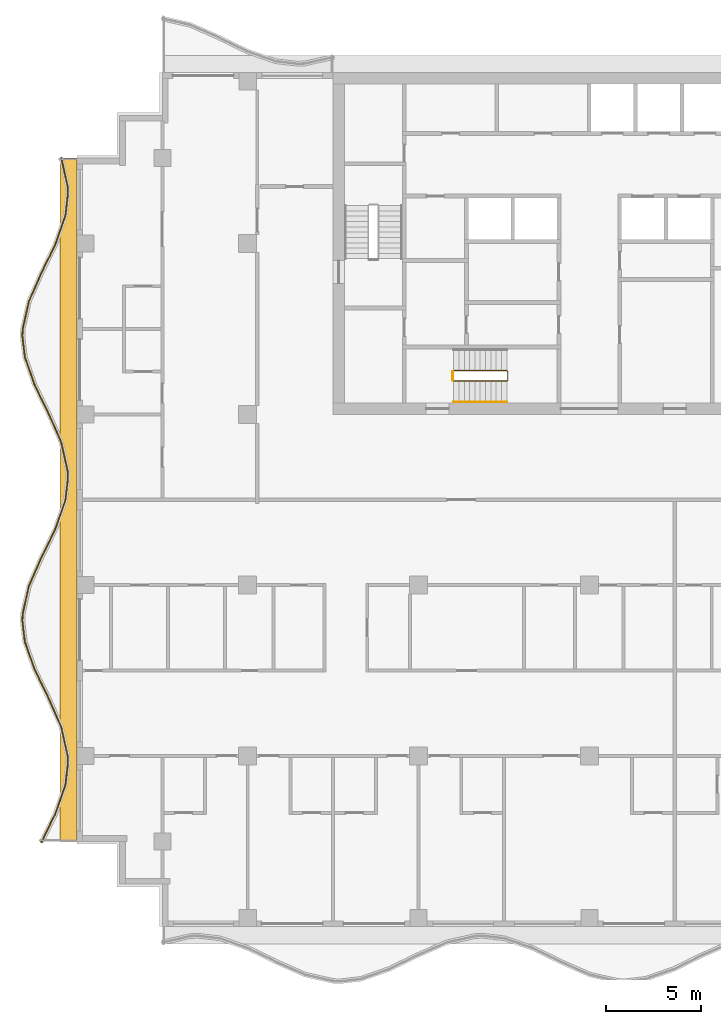
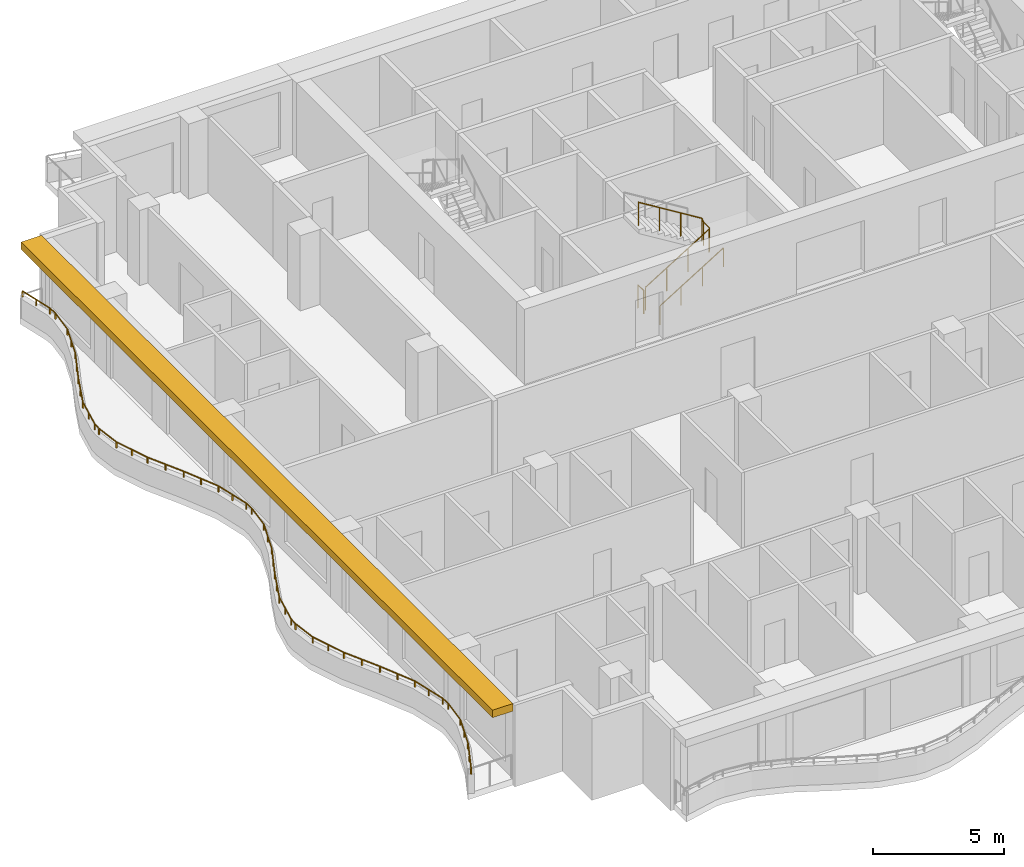
# One storey, part 9 of 11: 4 railings, 1 shading device.
"""IFC4 building model written with IfcOpenShell, lengths in metres."""

import ifcopenshell
import ifcopenshell.guid

model = None  # the IFC model being written
_history = None  # IfcOwnerHistory: only IFC2X3 demands one
_inside = {}  # id of a spatial element -> (the spatial element, [elements in it])
_under = {}  # id of a project, library or spatial element -> (it, [spatial elements below it])
_declared = {}  # id of a project -> (the project, [libraries it declares])
_typed = {}  # id of a type object -> (the type object, [elements of that type])
_made_of = {}  # id of a material, layer set ... -> (it, [elements and type objects made of it])


def new_model(schema):
    """Start an empty IFC model of exactly this schema.

    Asked for "IFC4X3", IfcOpenShell would pick the latest addendum, in which some entities
    have other attributes; the version numbers below select the first issue.
    IFC2X3 requires an IfcOwnerHistory on every rooted entity: one is made here for all.
    """
    global model, _history
    if schema == "IFC4X3":
        model = ifcopenshell.file(schema_version=(4, 3, 0, 0))
    else:
        model = ifcopenshell.file(schema=schema)
    _inside.clear()
    _under.clear()
    _declared.clear()
    _typed.clear()
    _made_of.clear()
    _history = None
    if model.schema == "IFC2X3":
        org = make("IfcOrganization", Name="unknown")
        user = make(
            "IfcPersonAndOrganization",
            ThePerson=make("IfcPerson", FamilyName="unknown"),
            TheOrganization=org,
        )
        app = make(
            "IfcApplication",
            ApplicationDeveloper=org,
            Version="unknown",
            ApplicationFullName="unknown",
            ApplicationIdentifier="unknown",
        )
        _history = make(
            "IfcOwnerHistory",
            OwningUser=user,
            OwningApplication=app,
            ChangeAction="ADDED",
            CreationDate=0,
        )
    return model


def make(cls, **values):
    """One entity of the class cls with the attributes given. An attribute that is None is left unset."""
    return model.create_entity(
        cls, **{name: value for name, value in values.items() if value is not None}
    )


def rooted(cls, **values):
    """An entity with a GlobalId (a new one), such as an element, a storey or a relation."""
    return make(cls, GlobalId=ifcopenshell.guid.new(), OwnerHistory=_history, **values)


def si_unit(unit_type, name, prefix=None):
    """IfcSIUnit, for example si_unit("LENGTHUNIT", "METRE", prefix="MILLI")."""
    return make("IfcSIUnit", UnitType=unit_type, Prefix=prefix, Name=name)


def assignment(units):
    """IfcUnitAssignment: the units of a project."""
    return None if units is None else make("IfcUnitAssignment", Units=units)


def point(xyz):
    """IfcCartesianPoint."""
    return None if xyz is None else make("IfcCartesianPoint", Coordinates=xyz)


def direction(xyz):
    """IfcDirection."""
    return None if xyz is None else make("IfcDirection", DirectionRatios=xyz)


def frame(location, z_axis=None, x_axis=None):
    """IfcAxis2Placement3D, a coordinate frame: its origin and axes. An axis left out is left unset."""
    return make(
        "IfcAxis2Placement3D",
        Location=point(location),
        Axis=direction(z_axis),
        RefDirection=direction(x_axis),
    )


def frame_2d(location, x_axis=None):
    """IfcAxis2Placement2D, a coordinate frame in the plane: its origin and x axis."""
    return make(
        "IfcAxis2Placement2D", Location=point(location), RefDirection=direction(x_axis)
    )


def origin():
    """The frame at (0, 0, 0) with its axes left unset."""
    return frame((0.0, 0.0, 0.0))


def origin_2d():
    """The frame at (0, 0) in the plane with its x axis left unset."""
    return frame_2d((0.0, 0.0))


def place(relative_to, where):
    """IfcLocalPlacement: puts the frame where relative to a parent placement (None: the world)."""
    return make(
        "IfcLocalPlacement", PlacementRelTo=relative_to, RelativePlacement=where
    )


def context(
    kind, dimensions, precision=None, world=None, true_north=None, identifier=None
):
    """IfcGeometricRepresentationContext, for example the 3D "Model" context."""
    return make(
        "IfcGeometricRepresentationContext",
        ContextIdentifier=identifier,
        ContextType=kind,
        CoordinateSpaceDimension=dimensions,
        Precision=precision,
        WorldCoordinateSystem=world,
        TrueNorth=true_north,
    )


def subcontext(parent, identifier, kind, view, scale=None):
    """IfcGeometricRepresentationSubContext, for example "Body" below "Model"."""
    return make(
        "IfcGeometricRepresentationSubContext",
        ContextIdentifier=identifier,
        ContextType=kind,
        ParentContext=parent,
        TargetScale=scale,
        TargetView=view,
    )


def project(units=None, contexts=None):
    """IfcProject with its units and contexts."""
    return rooted(
        "IfcProject",
        Name="project",
        RepresentationContexts=contexts,
        UnitsInContext=assignment(units),
    )


def spatial(cls, under=None, at=None, **own):
    """A site, building, storey or space (cls), placed at a placement, below another one or the project."""
    s = rooted(cls, ObjectPlacement=at, **own)
    if under is not None:
        _under.setdefault(under.id(), (under, []))[1].append(s)
    return s


def polyline(points):
    """IfcPolyline through the points."""
    return make("IfcPolyline", Points=[point(p) for p in points])


def profile(cls, at=None, kind="AREA", **sizes):
    """A parametric profile (cls). Its sizes go by their IFC names, for example OverallWidth=200.0."""
    return make(cls, ProfileType=kind, Position=at, **sizes)


def rectangle(**sizes):
    """IfcRectangleProfileDef."""
    return profile("IfcRectangleProfileDef", **sizes)


def circle(**sizes):
    """IfcCircleProfileDef."""
    return profile("IfcCircleProfileDef", **sizes)


def outline(outer, holes=None, kind="AREA"):
    """IfcArbitraryClosedProfileDef: a profile drawn as a closed curve; with holes, ...WithVoids."""
    if holes is None:
        return make("IfcArbitraryClosedProfileDef", ProfileType=kind, OuterCurve=outer)
    return make(
        "IfcArbitraryProfileDefWithVoids",
        ProfileType=kind,
        OuterCurve=outer,
        InnerCurves=holes,
    )


def extrude(swept, where, along, depth):
    """IfcExtrudedAreaSolid: the profile swept, set in the frame where, extruded along a direction by depth."""
    return make(
        "IfcExtrudedAreaSolid",
        SweptArea=swept,
        Position=where,
        ExtrudedDirection=direction(along),
        Depth=depth,
    )


def shape(context_of_items, identifier, shape_type, items):
    """IfcShapeRepresentation: the items that make up one representation, for example the "Body"."""
    return make(
        "IfcShapeRepresentation",
        ContextOfItems=context_of_items,
        RepresentationIdentifier=identifier,
        RepresentationType=shape_type,
        Items=items,
    )


def material(Name=None, Category=None):
    """IfcMaterial."""
    return make("IfcMaterial", Name=Name, Category=Category)


def layer(
    of_material, thickness, ventilated=None, Name=None, Category=None, Priority=None
):
    """IfcMaterialLayer: one layer of a wall or slab, of a material (None: an air gap)."""
    return make(
        "IfcMaterialLayer",
        Material=of_material,
        LayerThickness=thickness,
        IsVentilated=ventilated,
        Name=Name,
        Category=Category,
        Priority=Priority,
    )


def layer_set(layers, Name=None):
    """IfcMaterialLayerSet."""
    return make("IfcMaterialLayerSet", MaterialLayers=layers, LayerSetName=Name)


def made_of(thing, what):
    """Note that an element or type object is made of a material, layer set ...; save() writes the relation."""
    if what is not None:
        _made_of.setdefault(what.id(), (what, []))[1].append(thing)
    return thing


def type_object(cls, material=None, **own):
    """A type object (cls), such as IfcWallType, which elements share."""
    return made_of(rooted(cls, **own), material)


def element(
    cls,
    number,
    at=None,
    inside=None,
    cuts=None,
    type_object=None,
    material=None,
    context=None,
    identifier="Body",
    shape_type=None,
    held_by="IfcProductDefinitionShape",
    body=None,
    shapes=None,
    **own,
):
    """One element of the class cls, such as IfcWall. Its Tag is "e" and its number.

    at: its placement. inside: the storey or other place that contains it. cuts: it is an
    opening in that element (IfcRelVoidsElement). A single representation is given by context,
    identifier, shape_type and body (its items); several are given by shapes. held_by: the class
    of the entity that holds the representations. save() writes the other relations.
    """
    e = rooted(cls, Tag="e%d" % number, ObjectPlacement=at, **own)
    if body is not None:
        shapes = [shape(context, identifier, shape_type, body)]
    if shapes is not None:
        e.Representation = make(held_by, Representations=shapes)
    if inside is not None:
        _inside.setdefault(inside.id(), (inside, []))[1].append(e)
    if cuts is not None:
        rooted(
            "IfcRelVoidsElement", RelatingBuildingElement=cuts, RelatedOpeningElement=e
        )
    if type_object is not None:
        _typed.setdefault(type_object.id(), (type_object, []))[1].append(e)
    return made_of(e, material)


def aggregate(whole, parts):
    """IfcRelAggregates: a whole, such as a stair, and the parts it consists of."""
    return rooted("IfcRelAggregates", RelatingObject=whole, RelatedObjects=parts)


def save(model, path):
    """Write the relations noted so far, then the file.

    IfcRelAggregates (storeys below a building ...), IfcRelContainedInSpatialStructure (elements
    in a storey), IfcRelDefinesByType, IfcRelAssociatesMaterial and IfcRelDeclares: one each for
    every whole, place, type object, material and project.
    """
    for whole, parts in _under.values():
        aggregate(whole, parts)
    for where, things in _inside.values():
        rooted(
            "IfcRelContainedInSpatialStructure",
            RelatedElements=things,
            RelatingStructure=where,
        )
    for kind, things in _typed.values():
        rooted("IfcRelDefinesByType", RelatedObjects=things, RelatingType=kind)
    for what, things in _made_of.values():
        rooted("IfcRelAssociatesMaterial", RelatedObjects=things, RelatingMaterial=what)
    for by, libraries in _declared.values():
        rooted("IfcRelDeclares", RelatingContext=by, RelatedDefinitions=libraries)
    model.write(path)


model = new_model("IFC4")

# Units and contexts
model_context = context("Model", 3, precision=1e-05, world=origin(), true_north=direction((0.0, 1.0)))
body_context = subcontext(model_context, "Body", "Model", "MODEL_VIEW")
ifc_project = project(units=[si_unit("LENGTHUNIT", "METRE"), si_unit("AREAUNIT", "SQUARE_METRE"), si_unit("VOLUMEUNIT", "CUBIC_METRE"), si_unit("PLANEANGLEUNIT", "RADIAN"), si_unit("MASSUNIT", "GRAM", prefix="KILO")], contexts=[model_context])

# Site, building, storey
site_placement = place(None, origin())
site = spatial("IfcSite", under=ifc_project, at=site_placement, CompositionType="ELEMENT")
building_placement = place(site_placement, origin())
building = spatial("IfcBuilding", under=site, at=building_placement, Name="Orbiselva Terraces", CompositionType="ELEMENT")
storey_placement = place(building_placement, frame((0.0, 0.0, 261.6)))
storey = spatial("IfcBuildingStorey", under=building, at=storey_placement, Name="L66", CompositionType="ELEMENT", Elevation=261.6)

# Railings
ifc_material_1 = material(Name="Stainless steel", Category="steel")
railing_type_1 = type_object("IfcRailingType", Name="CORE-GUARD-1100", PredefinedType="GUARDRAIL", material=ifc_material_1)
railing_1_placement = place(storey_placement, frame((-7.15, 6.25, 0.172727)))
element("IfcRailing", 1, at=railing_1_placement, inside=storey, type_object=railing_type_1, Name="L66 S3 stair guard 1", PredefinedType="GUARDRAIL", context=body_context, shape_type="SweptSolid", body=[
    extrude(circle(Radius=0.024, at=origin_2d()), frame((0.0, 0.0, 1.081), z_axis=(0.851088519012, 0.0, 0.52502222125), x_axis=(0.0, 1.0, 0.0)), (0.0, 0.0, 1.0), 3.289905),
    extrude(circle(Radius=0.024, at=origin_2d()), frame((2.8, 0.0, 2.808273), z_axis=(0.707106781187, 0.707106781187, 0.0), x_axis=(-0.707106781187, 0.707106781187, 0.0)), (0.0, 0.0, 1.0), 0.070711),
    extrude(circle(Radius=0.024, at=origin_2d()), frame((2.85, 0.05, 2.808273), z_axis=(0.0, 1.0, 0.0), x_axis=(-1.0, 0.0, 0.0)), (0.0, 0.0, 1.0), 0.45),
    extrude(circle(Radius=0.024, at=origin_2d()), frame((2.85, 0.5, 2.808273), z_axis=(-0.267894925557, 0.267894925557, 0.925453736133), x_axis=(-0.707106781187, -0.707106781187, 0.0)), (0.0, 0.0, 1.0), 0.18664),
    extrude(circle(Radius=0.024, at=origin_2d()), frame((2.8, 0.55, 2.981), z_axis=(-0.851088519012, 0.0, 0.52502222125), x_axis=(0.0, -1.0, 0.0)), (0.0, 0.0, 1.0), 3.289905),
    extrude(circle(Radius=0.021, at=origin_2d()), origin(), (0.0, 0.0, 1.0), 1.057),
    extrude(circle(Radius=0.021, at=origin_2d()), frame((0.933333, 0.0, 0.575758)), (0.0, 0.0, 1.0), 1.057),
    extrude(circle(Radius=0.021, at=origin_2d()), frame((1.866667, 0.0, 1.151515)), (0.0, 0.0, 1.0), 1.057),
    extrude(circle(Radius=0.021, at=origin_2d()), frame((2.8, 0.0, 1.727273)), (0.0, 0.0, 1.0), 1.057),
    extrude(circle(Radius=0.021, at=origin_2d()), frame((2.85, 0.05, 1.727273)), (0.0, 0.0, 1.0), 1.057),
    extrude(circle(Radius=0.021, at=origin_2d()), frame((2.85, 0.5, 1.727273)), (0.0, 0.0, 1.0), 1.057),
    extrude(circle(Radius=0.021, at=origin_2d()), frame((2.8, 0.55, 1.9)), (0.0, 0.0, 1.0), 1.057),
    extrude(circle(Radius=0.021, at=origin_2d()), frame((1.866667, 0.55, 2.475758)), (0.0, 0.0, 1.0), 1.057),
    extrude(circle(Radius=0.021, at=origin_2d()), frame((0.933333, 0.55, 3.051515)), (0.0, 0.0, 1.0), 1.057),
    extrude(circle(Radius=0.021, at=origin_2d()), frame((0.0, 0.55, 3.627273)), (0.0, 0.0, 1.0), 1.057),
])
railing_2_placement = place(storey_placement, frame((-7.2, 6.3, 0.0)))
element("IfcRailing", 2, at=railing_2_placement, inside=storey, type_object=railing_type_1, Name="L66 S3 stair guard 2", PredefinedType="GUARDRAIL", context=body_context, shape_type="SweptSolid", body=[
    extrude(circle(Radius=0.024, at=origin_2d()), frame((0.0, 0.0, 1.081), z_axis=(0.0, 1.0, 0.0), x_axis=(-1.0, 0.0, 0.0)), (0.0, 0.0, 1.0), 0.45),
    extrude(circle(Radius=0.021, at=origin_2d()), origin(), (0.0, 0.0, 1.0), 1.057),
    extrude(circle(Radius=0.021, at=origin_2d()), frame((0.0, 0.45, 0.0)), (0.0, 0.0, 1.0), 1.057),
])
railing_type_2 = type_object("IfcRailingType", Name="CORE-HANDRAIL-900", PredefinedType="HANDRAIL", material=ifc_material_1)
railing_3_placement = place(storey_placement, frame((-7.15, 5.15, 0.172727)))
element("IfcRailing", 3, at=railing_3_placement, inside=storey, type_object=railing_type_2, Name="L66 S3 stair handrail 1", PredefinedType="HANDRAIL", context=body_context, shape_type="SweptSolid", body=[
    extrude(circle(Radius=0.024, at=origin_2d()), frame((0.0, 0.0, 0.876), z_axis=(0.851088519012, 0.0, 0.52502222125), x_axis=(0.0, 1.0, 0.0)), (0.0, 0.0, 1.0), 3.289905),
    extrude(circle(Radius=0.021, at=origin_2d()), origin(), (0.0, 0.0, 1.0), 0.852),
    extrude(circle(Radius=0.021, at=origin_2d()), frame((0.933333, 0.0, 0.575758)), (0.0, 0.0, 1.0), 0.852),
    extrude(circle(Radius=0.021, at=origin_2d()), frame((1.866667, 0.0, 1.151515)), (0.0, 0.0, 1.0), 0.852),
    extrude(circle(Radius=0.021, at=origin_2d()), frame((2.8, 0.0, 1.727273)), (0.0, 0.0, 1.0), 0.852),
])
ifc_material_2 = material(Name="Bonded two-ply safety glass balustrade, stainless steel posts", Category="steel")
railing_type_3 = type_object("IfcRailingType", Name="ENV-BALUSTRADE-1200", PredefinedType="BALUSTRADE", material=ifc_material_2)
railing_4_placement = place(storey_placement, frame((-27.829507, 18.027377, 0.9)))
element("IfcRailing", 4, at=railing_4_placement, inside=storey, type_object=railing_type_3, Name="Balcony balustrade L66 W", PredefinedType="BALUSTRADE", context=body_context, shape_type="SweptSolid", body=[
    extrude(outline(polyline([(0.028868, 0.0), (0.014434, 0.025), (-0.014434, 0.025), (-0.028868, 0.0), (-0.014434, -0.025), (0.014434, -0.025), (0.028868, 0.0)])), frame((0.0, 0.0, 0.275), z_axis=(0.219015484484, -0.97572138316, 0.0), x_axis=(0.97572138316, 0.219015484484, 0.0)), (0.0, 0.0, 1.0), 1.548694),
    extrude(outline(polyline([(0.028868, 0.0), (0.014434, 0.025), (-0.014434, 0.025), (-0.028868, 0.0), (-0.014434, -0.025), (0.014434, -0.025), (0.028868, 0.0)])), frame((0.339188, -1.511094, 0.275), z_axis=(0.03936915532, -0.999224734286, 0.0), x_axis=(0.999224734286, 0.03936915532, 0.0)), (0.0, 0.0, 1.0), 0.396376),
    extrude(outline(polyline([(0.028868, 0.0), (0.014434, 0.025), (-0.014434, 0.025), (-0.028868, 0.0), (-0.014434, -0.025), (0.014434, -0.025), (0.028868, 0.0)])), frame((0.354793, -1.907163, 0.275), z_axis=(-0.115482182324, -0.993309551734, 0.0), x_axis=(0.993309551734, -0.115482182324, 0.0)), (0.0, 0.0, 1.0), 1.156135),
    extrude(outline(polyline([(0.028868, 0.0), (0.014434, 0.025), (-0.014434, 0.025), (-0.028868, 0.0), (-0.014434, -0.025), (0.014434, -0.025), (0.028868, 0.0)])), frame((0.22128, -3.055563, 0.275), z_axis=(-0.330024597479, -0.943972332783, 0.0), x_axis=(0.943972332783, -0.330024597479, 0.0)), (0.0, 0.0, 1.0), 1.610253),
    extrude(outline(polyline([(0.028868, 0.0), (0.014434, 0.025), (-0.014434, 0.025), (-0.028868, 0.0), (-0.014434, -0.025), (0.014434, -0.025), (0.028868, 0.0)])), frame((-0.310143, -4.575597, 0.275), z_axis=(-0.438812048596, -0.898578870221, 0.0), x_axis=(0.898578870221, -0.438812048596, 0.0)), (0.0, 0.0, 1.0), 1.674225),
    extrude(outline(polyline([(0.028868, 0.0), (0.014434, 0.025), (-0.014434, 0.025), (-0.028868, 0.0), (-0.014434, -0.025), (0.014434, -0.025), (0.028868, 0.0)])), frame((-1.044813, -6.08002, 0.275), z_axis=(-0.403151245402, -0.915133363686, 0.0), x_axis=(0.915133363686, -0.403151245402, 0.0)), (0.0, 0.0, 1.0), 1.624475),
    extrude(outline(polyline([(0.028868, 0.0), (0.014434, 0.025), (-0.014434, 0.025), (-0.028868, 0.0), (-0.014434, -0.025), (0.014434, -0.025), (0.028868, 0.0)])), frame((-1.699722, -7.566631, 0.275), z_axis=(-0.219015740235, -0.975721325753, 0.0), x_axis=(0.975721325753, -0.219015740235, 0.0)), (0.0, 0.0, 1.0), 1.513782),
    extrude(outline(polyline([(0.028868, 0.0), (0.014434, 0.025), (-0.014434, 0.025), (-0.028868, 0.0), (-0.014434, -0.025), (0.014434, -0.025), (0.028868, 0.0)])), frame((-2.031264, -9.04366, 0.275), z_axis=(-0.039364150694, -0.999224931454, 0.0), x_axis=(0.999224931454, -0.039364150694, 0.0)), (0.0, 0.0, 1.0), 0.354206),
    extrude(outline(polyline([(0.028868, 0.0), (0.014434, 0.025), (-0.014434, 0.025), (-0.028868, 0.0), (-0.014434, -0.025), (0.014434, -0.025), (0.028868, 0.0)])), frame((-2.045207, -9.397591, 0.275), z_axis=(0.115481264762, -0.993309658409, 0.0), x_axis=(0.993309658409, 0.115481264762, 0.0)), (0.0, 0.0, 1.0), 1.10902),
    extrude(outline(polyline([(0.028868, 0.0), (0.014434, 0.025), (-0.014434, 0.025), (-0.028868, 0.0), (-0.014434, -0.025), (0.014434, -0.025), (0.028868, 0.0)])), frame((-1.917136, -10.499191, 0.275), z_axis=(0.330024754707, -0.943972277814, 0.0), x_axis=(0.943972277814, 0.330024754707, 0.0)), (0.0, 0.0, 1.0), 1.567807),
    extrude(outline(polyline([(0.028868, 0.0), (0.014434, 0.025), (-0.014434, 0.025), (-0.028868, 0.0), (-0.014434, -0.025), (0.014434, -0.025), (0.028868, 0.0)])), frame((-1.399721, -11.979157, 0.275), z_axis=(0.438811978768, -0.89857890432, 0.0), x_axis=(0.89857890432, 0.438811978768, 0.0)), (0.0, 0.0, 1.0), 1.66438),
    extrude(outline(polyline([(0.028868, 0.0), (0.014434, 0.025), (-0.014434, 0.025), (-0.028868, 0.0), (-0.014434, -0.025), (0.014434, -0.025), (0.028868, 0.0)])), frame((-0.669371, -13.474734, 0.275), z_axis=(0.403150874148, -0.915133527237, 0.0), x_axis=(0.915133527237, 0.403150874148, 0.0)), (0.0, 0.0, 1.0), 1.653736),
    extrude(outline(polyline([(0.028868, 0.0), (0.014434, 0.025), (-0.014434, 0.025), (-0.028868, 0.0), (-0.014434, -0.025), (0.014434, -0.025), (0.028868, 0.0)])), frame((-0.002666, -14.988123, 0.275), z_axis=(0.219015500924, -0.97572137947, 0.0), x_axis=(0.97572137947, 0.219015500924, 0.0)), (0.0, 0.0, 1.0), 1.560867),
    extrude(outline(polyline([(0.028868, 0.0), (0.014434, 0.025), (-0.014434, 0.025), (-0.028868, 0.0), (-0.014434, -0.025), (0.014434, -0.025), (0.028868, 0.0)])), frame((0.339188, -16.511094, 0.275), z_axis=(0.03936915532, -0.999224734286, 0.0), x_axis=(0.999224734286, 0.03936915532, 0.0)), (0.0, 0.0, 1.0), 0.396376),
    extrude(outline(polyline([(0.028868, 0.0), (0.014434, 0.025), (-0.014434, 0.025), (-0.028868, 0.0), (-0.014434, -0.025), (0.014434, -0.025), (0.028868, 0.0)])), frame((0.354793, -16.907163, 0.275), z_axis=(-0.115482182324, -0.993309551734, 0.0), x_axis=(0.993309551734, -0.115482182324, 0.0)), (0.0, 0.0, 1.0), 1.156135),
    extrude(outline(polyline([(0.028868, 0.0), (0.014434, 0.025), (-0.014434, 0.025), (-0.028868, 0.0), (-0.014434, -0.025), (0.014434, -0.025), (0.028868, 0.0)])), frame((0.22128, -18.055563, 0.275), z_axis=(-0.330024597479, -0.943972332783, 0.0), x_axis=(0.943972332783, -0.330024597479, 0.0)), (0.0, 0.0, 1.0), 1.610253),
    extrude(outline(polyline([(0.028868, 0.0), (0.014434, 0.025), (-0.014434, 0.025), (-0.028868, 0.0), (-0.014434, -0.025), (0.014434, -0.025), (0.028868, 0.0)])), frame((-0.310143, -19.575597, 0.275), z_axis=(-0.438812048596, -0.898578870221, 0.0), x_axis=(0.898578870221, -0.438812048596, 0.0)), (0.0, 0.0, 1.0), 1.674225),
    extrude(outline(polyline([(0.028868, 0.0), (0.014434, 0.025), (-0.014434, 0.025), (-0.028868, 0.0), (-0.014434, -0.025), (0.014434, -0.025), (0.028868, 0.0)])), frame((-1.044813, -21.08002, 0.275), z_axis=(-0.403151245402, -0.915133363686, 0.0), x_axis=(0.915133363686, -0.403151245402, 0.0)), (0.0, 0.0, 1.0), 1.624475),
    extrude(outline(polyline([(0.028868, 0.0), (0.014434, 0.025), (-0.014434, 0.025), (-0.028868, 0.0), (-0.014434, -0.025), (0.014434, -0.025), (0.028868, 0.0)])), frame((-1.699722, -22.566631, 0.275), z_axis=(-0.219015740235, -0.975721325753, 0.0), x_axis=(0.975721325753, -0.219015740235, 0.0)), (0.0, 0.0, 1.0), 1.513782),
    extrude(outline(polyline([(0.028868, 0.0), (0.014434, 0.025), (-0.014434, 0.025), (-0.028868, 0.0), (-0.014434, -0.025), (0.014434, -0.025), (0.028868, 0.0)])), frame((-2.031264, -24.04366, 0.275), z_axis=(-0.039364150694, -0.999224931454, 0.0), x_axis=(0.999224931454, -0.039364150694, 0.0)), (0.0, 0.0, 1.0), 0.354206),
    extrude(outline(polyline([(0.028868, 0.0), (0.014434, 0.025), (-0.014434, 0.025), (-0.028868, 0.0), (-0.014434, -0.025), (0.014434, -0.025), (0.028868, 0.0)])), frame((-2.045207, -24.397591, 0.275), z_axis=(0.115481264762, -0.993309658409, 0.0), x_axis=(0.993309658409, 0.115481264762, 0.0)), (0.0, 0.0, 1.0), 1.10902),
    extrude(outline(polyline([(0.028868, 0.0), (0.014434, 0.025), (-0.014434, 0.025), (-0.028868, 0.0), (-0.014434, -0.025), (0.014434, -0.025), (0.028868, 0.0)])), frame((-1.917136, -25.499191, 0.275), z_axis=(0.330024754707, -0.943972277814, 0.0), x_axis=(0.943972277814, 0.330024754707, 0.0)), (0.0, 0.0, 1.0), 1.567807),
    extrude(outline(polyline([(0.028868, 0.0), (0.014434, 0.025), (-0.014434, 0.025), (-0.028868, 0.0), (-0.014434, -0.025), (0.014434, -0.025), (0.028868, 0.0)])), frame((-1.399721, -26.979157, 0.275), z_axis=(0.438811978768, -0.89857890432, 0.0), x_axis=(0.89857890432, 0.438811978768, 0.0)), (0.0, 0.0, 1.0), 1.66438),
    extrude(outline(polyline([(0.028868, 0.0), (0.014434, 0.025), (-0.014434, 0.025), (-0.028868, 0.0), (-0.014434, -0.025), (0.014434, -0.025), (0.028868, 0.0)])), frame((-0.669371, -28.474734, 0.275), z_axis=(0.403150874148, -0.915133527237, 0.0), x_axis=(0.915133527237, 0.403150874148, 0.0)), (0.0, 0.0, 1.0), 1.653736),
    extrude(outline(polyline([(0.028868, 0.0), (0.014434, 0.025), (-0.014434, 0.025), (-0.028868, 0.0), (-0.014434, -0.025), (0.014434, -0.025), (0.028868, 0.0)])), frame((-0.002666, -29.988123, 0.275), z_axis=(0.219015500924, -0.97572137947, 0.0), x_axis=(0.97572137947, 0.219015500924, 0.0)), (0.0, 0.0, 1.0), 1.560867),
    extrude(outline(polyline([(0.028868, 0.0), (0.014434, 0.025), (-0.014434, 0.025), (-0.028868, 0.0), (-0.014434, -0.025), (0.014434, -0.025), (0.028868, 0.0)])), frame((0.339188, -31.511094, 0.275), z_axis=(0.03936915532, -0.999224734286, 0.0), x_axis=(0.999224734286, 0.03936915532, 0.0)), (0.0, 0.0, 1.0), 0.396376),
    extrude(outline(polyline([(0.028868, 0.0), (0.014434, 0.025), (-0.014434, 0.025), (-0.028868, 0.0), (-0.014434, -0.025), (0.014434, -0.025), (0.028868, 0.0)])), frame((0.354793, -31.907163, 0.275), z_axis=(-0.115482182324, -0.993309551734, 0.0), x_axis=(0.993309551734, -0.115482182324, 0.0)), (0.0, 0.0, 1.0), 1.156135),
    extrude(outline(polyline([(0.028868, 0.0), (0.014434, 0.025), (-0.014434, 0.025), (-0.028868, 0.0), (-0.014434, -0.025), (0.014434, -0.025), (0.028868, 0.0)])), frame((0.22128, -33.055563, 0.275), z_axis=(-0.330024597479, -0.943972332783, 0.0), x_axis=(0.943972332783, -0.330024597479, 0.0)), (0.0, 0.0, 1.0), 1.610253),
    extrude(outline(polyline([(0.028868, 0.0), (0.014434, 0.025), (-0.014434, 0.025), (-0.028868, 0.0), (-0.014434, -0.025), (0.014434, -0.025), (0.028868, 0.0)])), frame((-0.310143, -34.575597, 0.275), z_axis=(-0.43881217228, -0.898578809821, 0.0), x_axis=(0.898578809821, -0.43881217228, 0.0)), (0.0, 0.0, 1.0), 1.676683),
    extrude(rectangle(XDim=0.05, YDim=0.05, at=origin_2d()), origin(), (0.0, 0.0, 1.0), 0.25),
    extrude(rectangle(XDim=0.05, YDim=0.05, at=origin_2d()), frame((0.169594, -0.755547, 0.0)), (0.0, 0.0, 1.0), 0.25),
    extrude(rectangle(XDim=0.05, YDim=0.05, at=origin_2d()), frame((0.339188, -1.511094, 0.0)), (0.0, 0.0, 1.0), 0.25),
    extrude(rectangle(XDim=0.05, YDim=0.05, at=origin_2d()), frame((0.354793, -1.907163, 0.0)), (0.0, 0.0, 1.0), 0.25),
    extrude(rectangle(XDim=0.05, YDim=0.05, at=origin_2d()), frame((0.22128, -3.055563, 0.0)), (0.0, 0.0, 1.0), 0.25),
    extrude(rectangle(XDim=0.05, YDim=0.05, at=origin_2d()), frame((-0.044431, -3.81558, 0.0)), (0.0, 0.0, 1.0), 0.25),
    extrude(rectangle(XDim=0.05, YDim=0.05, at=origin_2d()), frame((-0.310143, -4.575597, 0.0)), (0.0, 0.0, 1.0), 0.25),
    extrude(rectangle(XDim=0.05, YDim=0.05, at=origin_2d()), frame((-0.677478, -5.327809, 0.0)), (0.0, 0.0, 1.0), 0.25),
    extrude(rectangle(XDim=0.05, YDim=0.05, at=origin_2d()), frame((-1.044813, -6.08002, 0.0)), (0.0, 0.0, 1.0), 0.25),
    extrude(rectangle(XDim=0.05, YDim=0.05, at=origin_2d()), frame((-1.372268, -6.823326, 0.0)), (0.0, 0.0, 1.0), 0.25),
    extrude(rectangle(XDim=0.05, YDim=0.05, at=origin_2d()), frame((-1.699722, -7.566631, 0.0)), (0.0, 0.0, 1.0), 0.25),
    extrude(rectangle(XDim=0.05, YDim=0.05, at=origin_2d()), frame((-1.865493, -8.305146, 0.0)), (0.0, 0.0, 1.0), 0.25),
    extrude(rectangle(XDim=0.05, YDim=0.05, at=origin_2d()), frame((-2.031264, -9.04366, 0.0)), (0.0, 0.0, 1.0), 0.25),
    extrude(rectangle(XDim=0.05, YDim=0.05, at=origin_2d()), frame((-2.045207, -9.397591, 0.0)), (0.0, 0.0, 1.0), 0.25),
    extrude(rectangle(XDim=0.05, YDim=0.05, at=origin_2d()), frame((-1.917136, -10.499191, 0.0)), (0.0, 0.0, 1.0), 0.25),
    extrude(rectangle(XDim=0.05, YDim=0.05, at=origin_2d()), frame((-1.658428, -11.239174, 0.0)), (0.0, 0.0, 1.0), 0.25),
    extrude(rectangle(XDim=0.05, YDim=0.05, at=origin_2d()), frame((-1.399721, -11.979157, 0.0)), (0.0, 0.0, 1.0), 0.25),
    extrude(rectangle(XDim=0.05, YDim=0.05, at=origin_2d()), frame((-1.034546, -12.726946, 0.0)), (0.0, 0.0, 1.0), 0.25),
    extrude(rectangle(XDim=0.05, YDim=0.05, at=origin_2d()), frame((-0.669371, -13.474734, 0.0)), (0.0, 0.0, 1.0), 0.25),
    extrude(rectangle(XDim=0.05, YDim=0.05, at=origin_2d()), frame((-0.336019, -14.231429, 0.0)), (0.0, 0.0, 1.0), 0.25),
    extrude(rectangle(XDim=0.05, YDim=0.05, at=origin_2d()), frame((-0.002666, -14.988123, 0.0)), (0.0, 0.0, 1.0), 0.25),
    extrude(rectangle(XDim=0.05, YDim=0.05, at=origin_2d()), frame((0.168261, -15.749608, 0.0)), (0.0, 0.0, 1.0), 0.25),
    extrude(rectangle(XDim=0.05, YDim=0.05, at=origin_2d()), frame((0.339188, -16.511094, 0.0)), (0.0, 0.0, 1.0), 0.25),
    extrude(rectangle(XDim=0.05, YDim=0.05, at=origin_2d()), frame((0.354793, -16.907163, 0.0)), (0.0, 0.0, 1.0), 0.25),
    extrude(rectangle(XDim=0.05, YDim=0.05, at=origin_2d()), frame((0.22128, -18.055563, 0.0)), (0.0, 0.0, 1.0), 0.25),
    extrude(rectangle(XDim=0.05, YDim=0.05, at=origin_2d()), frame((-0.044431, -18.81558, 0.0)), (0.0, 0.0, 1.0), 0.25),
    extrude(rectangle(XDim=0.05, YDim=0.05, at=origin_2d()), frame((-0.310143, -19.575597, 0.0)), (0.0, 0.0, 1.0), 0.25),
    extrude(rectangle(XDim=0.05, YDim=0.05, at=origin_2d()), frame((-0.677478, -20.327809, 0.0)), (0.0, 0.0, 1.0), 0.25),
    extrude(rectangle(XDim=0.05, YDim=0.05, at=origin_2d()), frame((-1.044813, -21.08002, 0.0)), (0.0, 0.0, 1.0), 0.25),
    extrude(rectangle(XDim=0.05, YDim=0.05, at=origin_2d()), frame((-1.372268, -21.823326, 0.0)), (0.0, 0.0, 1.0), 0.25),
    extrude(rectangle(XDim=0.05, YDim=0.05, at=origin_2d()), frame((-1.699722, -22.566631, 0.0)), (0.0, 0.0, 1.0), 0.25),
    extrude(rectangle(XDim=0.05, YDim=0.05, at=origin_2d()), frame((-1.865493, -23.305146, 0.0)), (0.0, 0.0, 1.0), 0.25),
    extrude(rectangle(XDim=0.05, YDim=0.05, at=origin_2d()), frame((-2.031264, -24.04366, 0.0)), (0.0, 0.0, 1.0), 0.25),
    extrude(rectangle(XDim=0.05, YDim=0.05, at=origin_2d()), frame((-2.045207, -24.397591, 0.0)), (0.0, 0.0, 1.0), 0.25),
    extrude(rectangle(XDim=0.05, YDim=0.05, at=origin_2d()), frame((-1.917136, -25.499191, 0.0)), (0.0, 0.0, 1.0), 0.25),
    extrude(rectangle(XDim=0.05, YDim=0.05, at=origin_2d()), frame((-1.658428, -26.239174, 0.0)), (0.0, 0.0, 1.0), 0.25),
    extrude(rectangle(XDim=0.05, YDim=0.05, at=origin_2d()), frame((-1.399721, -26.979157, 0.0)), (0.0, 0.0, 1.0), 0.25),
    extrude(rectangle(XDim=0.05, YDim=0.05, at=origin_2d()), frame((-1.034546, -27.726946, 0.0)), (0.0, 0.0, 1.0), 0.25),
    extrude(rectangle(XDim=0.05, YDim=0.05, at=origin_2d()), frame((-0.669371, -28.474734, 0.0)), (0.0, 0.0, 1.0), 0.25),
    extrude(rectangle(XDim=0.05, YDim=0.05, at=origin_2d()), frame((-0.336019, -29.231428, 0.0)), (0.0, 0.0, 1.0), 0.25),
    extrude(rectangle(XDim=0.05, YDim=0.05, at=origin_2d()), frame((-0.002666, -29.988123, 0.0)), (0.0, 0.0, 1.0), 0.25),
    extrude(rectangle(XDim=0.05, YDim=0.05, at=origin_2d()), frame((0.168261, -30.749608, 0.0)), (0.0, 0.0, 1.0), 0.25),
    extrude(rectangle(XDim=0.05, YDim=0.05, at=origin_2d()), frame((0.339188, -31.511094, 0.0)), (0.0, 0.0, 1.0), 0.25),
    extrude(rectangle(XDim=0.05, YDim=0.05, at=origin_2d()), frame((0.354793, -31.907163, 0.0)), (0.0, 0.0, 1.0), 0.25),
    extrude(rectangle(XDim=0.05, YDim=0.05, at=origin_2d()), frame((0.22128, -33.055563, 0.0)), (0.0, 0.0, 1.0), 0.25),
    extrude(rectangle(XDim=0.05, YDim=0.05, at=origin_2d()), frame((-0.044431, -33.81558, 0.0)), (0.0, 0.0, 1.0), 0.25),
    extrude(rectangle(XDim=0.05, YDim=0.05, at=origin_2d()), frame((-0.310143, -34.575597, 0.0)), (0.0, 0.0, 1.0), 0.25),
    extrude(rectangle(XDim=0.05, YDim=0.05, at=origin_2d()), frame((-0.678018, -35.328913, 0.0)), (0.0, 0.0, 1.0), 0.25),
    extrude(rectangle(XDim=0.05, YDim=0.05, at=origin_2d()), frame((-1.045892, -36.082229, 0.0)), (0.0, 0.0, 1.0), 0.25),
])

# Shading device
ifc_material_3 = material(Name="Terracotta baguette sunshade", Category="masonry")
ifc_layer = layer(ifc_material_3, 0.35)
ifc_layer_set = layer_set([ifc_layer], Name="Terracotta baguette sunshade")
shading_device_type = type_object("IfcShadingDeviceType", Name="ENV-SUNSHADE-900x350", PredefinedType="USERDEFINED", material=ifc_layer_set)
shading_device_placement = place(storey_placement, frame((0.0, 0.0, 3.15)))
element("IfcShadingDevice", 5, at=shading_device_placement, inside=storey, type_object=shading_device_type, Name="Sunshade band L66 W", ObjectType="SUNSHADE", PredefinedType="USERDEFINED", context=body_context, shape_type="SweptSolid", body=[
    extrude(outline(polyline([(-27.9, 18.0), (-27.9, -18.0), (-27.0, -18.0), (-27.0, 18.0), (-27.9, 18.0)])), origin(), (0.0, 0.0, 1.0), 0.35),
])

save(model, "model.ifc")
